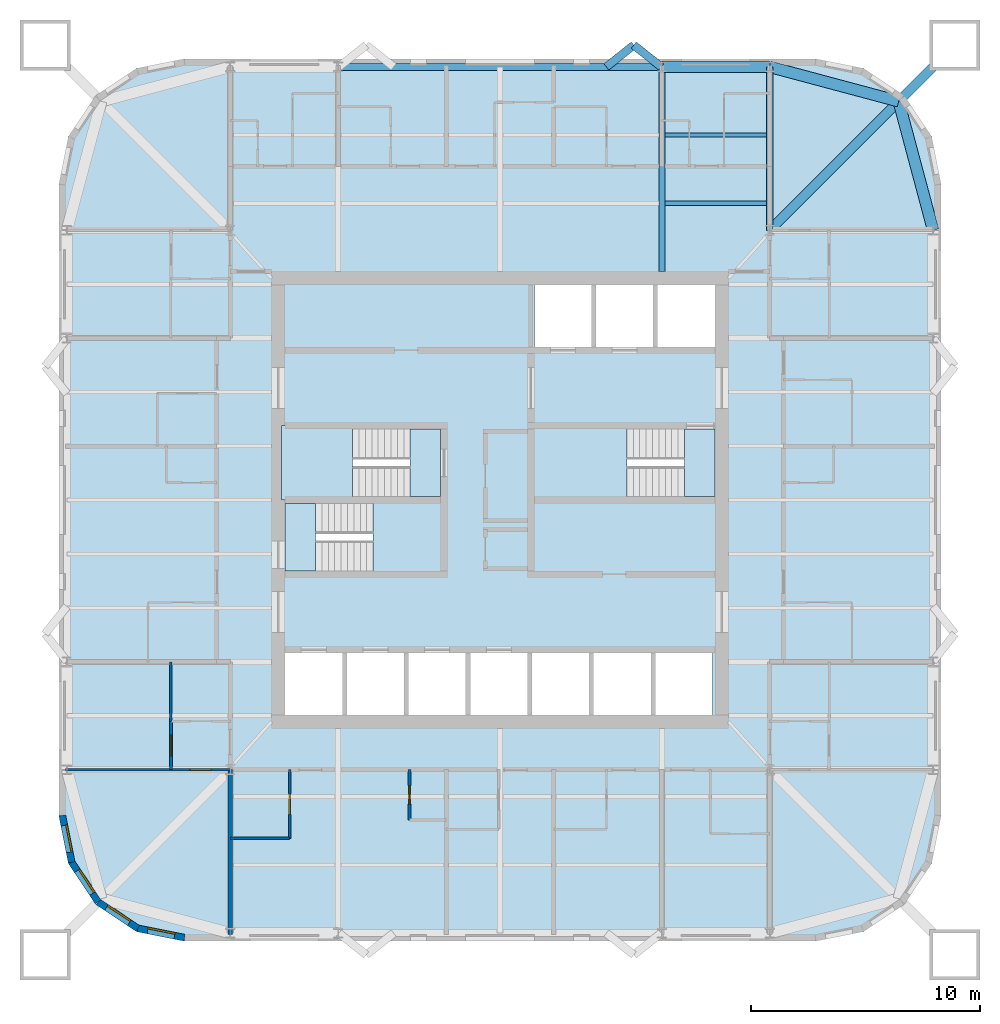
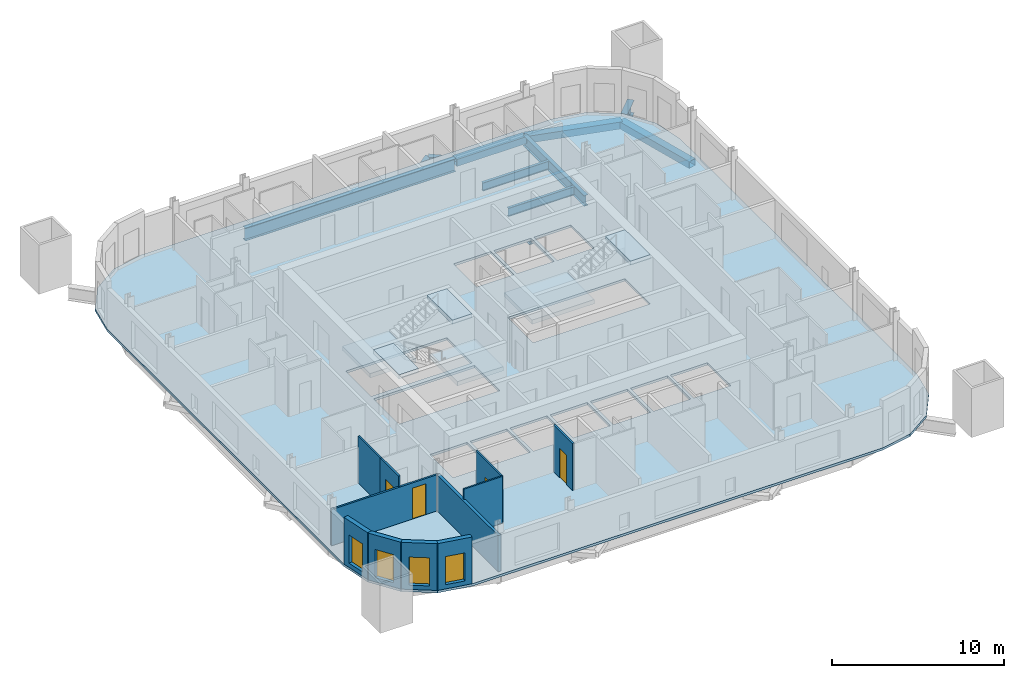
# One storey, part 2 of 9: 11 beams, 11 walls, 7 slabs, 4 doors, 4 windows, 8 openings, 3 elements without a shape of their own.
"""IFC4 building model written with IfcOpenShell, lengths in metres."""

from ifc_helpers import new_model, si_unit, direction, frame, frame_2d, origin, origin_2d, place, context, subcontext, project, spatial, polyline, rectangle, hollow_rectangle, i_section, outline, extrude, material, layer, layer_set, material_profile, profile_set, type_object, element, fill, aggregate, save


model = new_model("IFC4")

# Units and contexts
model_context = context("Model", 3, precision=1e-05, world=origin(), true_north=direction((0.0, 1.0)))
body_context = subcontext(model_context, "Body", "Model", "MODEL_VIEW")
ifc_project = project(units=[si_unit("LENGTHUNIT", "METRE"), si_unit("AREAUNIT", "SQUARE_METRE"), si_unit("VOLUMEUNIT", "CUBIC_METRE"), si_unit("PLANEANGLEUNIT", "RADIAN"), si_unit("MASSUNIT", "GRAM", prefix="KILO")], contexts=[model_context])

# Site, building, storey
site_placement = place(None, origin())
site = spatial("IfcSite", under=ifc_project, at=site_placement, CompositionType="ELEMENT")
building_placement = place(site_placement, origin())
building = spatial("IfcBuilding", under=site, at=building_placement, Name="Turquesa Mirador Hotel Tower", CompositionType="ELEMENT")
storey_placement = place(building_placement, frame((0.0, 0.0, 182.800048828125)))
storey = spatial("IfcBuildingStorey", under=building, at=storey_placement, Name="L49", CompositionType="ELEMENT", Elevation=182.800048828125)

# Beams
ifc_material_1 = material(Name="Steel ASTM A572 Grade 50", Category="steel")
ifc_material_profile_1 = material_profile(ifc_material_1, hollow_rectangle(XDim=0.5, YDim=0.5, WallThickness=0.01611328125, at=origin_2d()), Name="BOX500X500X16")
ifc_profile_set_1 = profile_set([ifc_material_profile_1], Name="Steel ASTM A572 Grade 50")
beam_type_1 = type_object("IfcBeamType", Name="BEAM BOX500X500X16", PredefinedType="BEAM", material=ifc_profile_set_1)
beam_1_placement = place(storey_placement, frame((62.080078125, 63.949951171875, -0.420166015625), z_axis=(1.0, 0.0, 0.0), x_axis=(0.0, 1.0, 0.0)))
element("IfcBeam", 1, at=beam_1_placement, inside=storey, type_object=beam_type_1, Name="EB-L49-N-R", PredefinedType="BEAM", context=body_context, shape_type="SweptSolid", body=[
    extrude(hollow_rectangle(XDim=0.5, YDim=0.5, WallThickness=0.01611328125, at=origin_2d()), origin(), (0.0, 0.0, 1.0), 4.719970703125),
])
for number, where, z_axis, x_axis, name in (
    (2, (73.949951171875, 56.800048828125, -0.420166015625), (-0.258281892145, 0.966069595935, 0.0), (-0.966069595935, -0.258281892145, 0.0), "KE-L49-1-0"),
    (3, (72.441650390625, 62.441650390625, -0.420166015625), (-0.966069595935, 0.258281892145, 0.0), (-0.258281892145, -0.966069595935, 0.0), "KE-L49-1-1"),
):
    element("IfcBeam", number, at=place(storey_placement, frame(where, z_axis=z_axis, x_axis=x_axis)), inside=storey, type_object=beam_type_1, Name=name, PredefinedType="BEAM", context=body_context, shape_type="SweptSolid", body=[
        extrude(hollow_rectangle(XDim=0.5, YDim=0.5, WallThickness=0.01611328125, at=origin_2d()), origin(), (0.0, 0.0, 1.0), 5.83984375),
    ])
ifc_material_2 = material(Name="Steel ASTM A992 Grade 50", Category="steel")
ifc_material_profile_2 = material_profile(ifc_material_2, i_section(OverallWidth=0.177978515625, OverallDepth=0.599365234375, WebThickness=0.010009765625, FlangeThickness=0.012939453125, at=origin_2d()), Name="W24X55")
ifc_profile_set_2 = profile_set([ifc_material_profile_2], Name="Steel ASTM A992 Grade 50")
beam_type_2 = type_object("IfcBeamType", Name="BEAM W24X55", PredefinedType="BEAM", material=ifc_profile_set_2)
for number, where, z_axis, x_axis, name in (
    (4, (62.21337890625, 57.98291015625, -0.4697265625), (1.0, 0.0, 0.0), (0.0, 1.0, 0.0), "IB-L49-N-1-3"),
    (5, (62.21337890625, 60.967041015625, -0.4697265625), (1.0, 0.0, 0.0), (0.0, 1.0, 0.0), "IB-L49-N-2-3"),
):
    element("IfcBeam", number, at=place(storey_placement, frame(where, z_axis=z_axis, x_axis=x_axis)), inside=storey, type_object=beam_type_2, Name=name, PredefinedType="BEAM", context=body_context, shape_type="SweptSolid", body=[
        extrude(i_section(OverallWidth=0.177978515625, OverallDepth=0.599365234375, WebThickness=0.010009765625, FlangeThickness=0.012939453125, at=origin_2d()), origin(), (0.0, 0.0, 1.0), 4.453369140625),
    ])
ifc_material_3 = material(Name="Steel ASTM A992 Grade 50", Category="steel")
ifc_material_profile_3 = material_profile(ifc_material_3, i_section(OverallWidth=0.2666015625, OverallDepth=0.7568359375, WebThickness=0.013916015625, FlangeThickness=0.019287109375, at=origin_2d()), Name="W30X108")
ifc_profile_set_3 = profile_set([ifc_material_profile_3], Name="Steel ASTM A992 Grade 50")
beam_type_3 = type_object("IfcBeamType", Name="BEAM W30X108", PredefinedType="BEAM", material=ifc_profile_set_3)
beam_2_placement = place(storey_placement, frame((62.080078125, 63.949951171875, -0.548583984375), z_axis=(0.0, -1.0, 0.0), x_axis=(1.0, 0.0, 0.0)))
element("IfcBeam", 6, at=beam_2_placement, inside=storey, type_object=beam_type_3, Name="GD-L49-N-+7.08", PredefinedType="BEAM", context=body_context, shape_type="SweptSolid", body=[
    extrude(i_section(OverallWidth=0.2666015625, OverallDepth=0.7568359375, WebThickness=0.013916015625, FlangeThickness=0.019287109375, at=origin_2d()), origin(), (0.0, 0.0, 1.0), 8.949951171875),
])
beam_3_placement = place(storey_placement, frame((66.800048828125, 63.949951171875, -0.548583984375), z_axis=(0.0, -1.0, 0.0), x_axis=(1.0, 0.0, 0.0)))
element("IfcBeam", 7, at=beam_3_placement, inside=storey, type_object=beam_type_3, Name="GK-L49-N-+11.80", PredefinedType="BEAM", context=body_context, shape_type="SweptSolid", body=[
    extrude(i_section(OverallWidth=0.2666015625, OverallDepth=0.7568359375, WebThickness=0.013916015625, FlangeThickness=0.019287109375, at=origin_2d()), origin(), (0.0, 0.0, 1.0), 7.14990234375),
])
ifc_material_4 = material(Name="Steel ASTM A992 Grade 50", Category="steel")
ifc_material_profile_4 = material_profile(ifc_material_4, i_section(OverallWidth=0.3046875, OverallDepth=0.911865234375, WebThickness=0.015869140625, FlangeThickness=0.02392578125, at=origin_2d()), Name="W36X150")
ifc_profile_set_4 = profile_set([ifc_material_profile_4], Name="Steel ASTM A992 Grade 50")
beam_type_4 = type_object("IfcBeamType", Name="BEAM W36X150", PredefinedType="BEAM", material=ifc_profile_set_4)
beam_4_placement = place(storey_placement, frame((47.919921875, 63.949951171875, -0.6259765625), z_axis=(1.0, 0.0, 0.0), x_axis=(0.0, 1.0, 0.0)))
element("IfcBeam", 8, at=beam_4_placement, inside=storey, type_object=beam_type_4, Name="EB-L49-N-C", PredefinedType="BEAM", context=body_context, shape_type="SweptSolid", body=[
    extrude(i_section(OverallWidth=0.3046875, OverallDepth=0.911865234375, WebThickness=0.015869140625, FlangeThickness=0.02392578125, at=origin_2d()), origin(), (0.0, 0.0, 1.0), 14.16015625),
])
ifc_material_5 = material(Name="Steel ASTM A992 Grade 50", Category="steel")
ifc_material_profile_5 = material_profile(ifc_material_5, i_section(OverallWidth=0.419189453125, OverallDepth=0.927001953125, WebThickness=0.019287109375, FlangeThickness=0.031982421875, at=origin_2d()), Name="W36X231")
ifc_profile_set_5 = profile_set([ifc_material_profile_5], Name="Steel ASTM A992 Grade 50")
beam_type_5 = type_object("IfcBeamType", Name="BEAM W36X231", PredefinedType="BEAM", material=ifc_profile_set_5)
beam_5_placement = place(storey_placement, frame((66.800048828125, 56.800048828125, -0.633544921875), z_axis=(0.707106781187, 0.707106781187, 0.0), x_axis=(-0.707106781187, 0.707106781187, 0.0)))
element("IfcBeam", 9, at=beam_5_placement, inside=storey, type_object=beam_type_5, Name="KD-L49-1", PredefinedType="BEAM", context=body_context, shape_type="SweptSolid", body=[
    extrude(i_section(OverallWidth=0.419189453125, OverallDepth=0.927001953125, WebThickness=0.019287109375, FlangeThickness=0.031982421875, at=origin_2d()), origin(), (0.0, 0.0, 1.0), 10.080322265625),
])
ifc_material_6 = material(Name="Steel ASTM A500 Grade C", Category="steel")
ifc_material_profile_6 = material_profile(ifc_material_6, hollow_rectangle(XDim=0.355712890625, YDim=0.355712890625, WallThickness=0.0146484375, at=origin_2d()), Name="HSS14X14X5/8")
ifc_profile_set_6 = profile_set([ifc_material_profile_6], Name="Steel ASTM A500 Grade C")
beam_type_6 = type_object("IfcBeamType", Name="BRACE STRUT HSS14X14X5/8", PredefinedType="BEAM", material=ifc_profile_set_6)
beam_6_placement = place(storey_placement, frame((60.85302734375, 64.89990234375, -0.347900390625), z_axis=(-0.784110506071, -0.620621232531, 0.0), x_axis=(0.620621232531, -0.784110506071, 0.0)))
element("IfcBeam", 10, at=beam_6_placement, inside=storey, type_object=beam_type_6, Name="Brace strut", PredefinedType="BEAM", context=body_context, shape_type="SweptSolid", body=[
    extrude(hollow_rectangle(XDim=0.355712890625, YDim=0.355712890625, WallThickness=0.0146484375, at=origin_2d()), origin(), (0.0, 0.0, 1.0), 1.53076171875),
])
beam_7_placement = place(storey_placement, frame((60.85302734375, 64.89990234375, -0.347900390625), z_axis=(0.784049059149, -0.620698858423, 0.0), x_axis=(0.620698858423, 0.784049059149, 0.0)))
element("IfcBeam", 11, at=beam_7_placement, inside=storey, type_object=beam_type_6, Name="Brace strut", PredefinedType="BEAM", context=body_context, shape_type="SweptSolid", body=[
    extrude(hollow_rectangle(XDim=0.355712890625, YDim=0.355712890625, WallThickness=0.0146484375, at=origin_2d()), origin(), (0.0, 0.0, 1.0), 1.530517578125),
])

# Slab
ifc_material_7 = material(Name="Concrete C28/35", Category="concrete")
ifc_layer_1 = layer(ifc_material_7, 0.169921875)
ifc_layer_set_1 = layer_set([ifc_layer_1], Name="COMPOSITE FLOOR SLAB 170")
slab_type_1 = type_object("IfcSlabType", Name="COMPOSITE FLOOR SLAB 170", PredefinedType="FLOOR", material=ifc_layer_set_1)
slab_1_placement = place(storey_placement, frame((0.0, 0.0, -0.170166015625)))
element("IfcSlab", 12, at=slab_1_placement, inside=storey, type_object=slab_type_1, Name="Floor slab L49", PredefinedType="FLOOR", context=body_context, shape_type="SweptSolid", body=[
    extrude(outline(polyline([(68.800048828125, 25.699951171875), (70.90478515625, 26.11865234375), (72.689208984375, 27.310791015625), (73.88134765625, 29.09521484375), (74.300048828125, 31.199951171875), (74.300048828125, 58.800048828125), (73.88134765625, 60.90478515625), (72.689208984375, 62.689208984375), (70.90478515625, 63.88134765625), (68.800048828125, 64.300048828125), (41.199951171875, 64.300048828125), (39.09521484375, 63.88134765625), (37.310791015625, 62.689208984375), (36.11865234375, 60.90478515625), (35.699951171875, 58.800048828125), (35.699951171875, 31.199951171875), (36.11865234375, 29.09521484375), (37.310791015625, 27.310791015625), (39.09521484375, 26.11865234375), (41.199951171875, 25.699951171875), (68.800048828125, 25.699951171875)]), holes=[polyline([(56.5, 51.699951171875), (59.0, 51.699951171875), (59.0, 54.39990234375), (56.5, 54.39990234375), (56.5, 51.699951171875)]), polyline([(59.199951171875, 51.699951171875), (61.699951171875, 51.699951171875), (61.699951171875, 54.39990234375), (59.199951171875, 54.39990234375), (59.199951171875, 51.699951171875)]), polyline([(45.60009765625, 35.60009765625), (48.10009765625, 35.60009765625), (48.10009765625, 38.300048828125), (45.60009765625, 38.300048828125), (45.60009765625, 35.60009765625)]), polyline([(48.300048828125, 35.60009765625), (50.800048828125, 35.60009765625), (50.800048828125, 38.300048828125), (48.300048828125, 38.300048828125), (48.300048828125, 35.60009765625)]), polyline([(51.0, 35.60009765625), (53.5, 35.60009765625), (53.5, 38.300048828125), (51.0, 38.300048828125), (51.0, 35.60009765625)]), polyline([(53.699951171875, 35.60009765625), (56.199951171875, 35.60009765625), (56.199951171875, 38.300048828125), (53.699951171875, 38.300048828125), (53.699951171875, 35.60009765625)]), polyline([(56.39990234375, 35.60009765625), (58.89990234375, 35.60009765625), (58.89990234375, 38.300048828125), (56.39990234375, 38.300048828125), (56.39990234375, 35.60009765625)]), polyline([(59.10009765625, 35.60009765625), (61.60009765625, 35.60009765625), (61.60009765625, 38.300048828125), (59.10009765625, 38.300048828125), (59.10009765625, 35.60009765625)]), polyline([(61.800048828125, 35.60009765625), (64.300048828125, 35.60009765625), (64.300048828125, 38.300048828125), (61.800048828125, 38.300048828125), (61.800048828125, 35.60009765625)]), polyline([(45.60009765625, 45.14990234375), (52.39990234375, 45.14990234375), (52.39990234375, 48.10009765625), (45.60009765625, 48.10009765625), (45.60009765625, 45.14990234375)]), polyline([(45.60009765625, 41.89990234375), (52.39990234375, 41.89990234375), (52.39990234375, 44.85009765625), (45.60009765625, 44.85009765625), (45.60009765625, 41.89990234375)]), polyline([(56.5, 45.14990234375), (64.39990234375, 45.14990234375), (64.39990234375, 48.10009765625), (56.5, 48.10009765625), (56.5, 45.14990234375)]), polyline([(61.89990234375, 51.699951171875), (64.39990234375, 51.699951171875), (64.39990234375, 54.39990234375), (61.89990234375, 54.39990234375), (61.89990234375, 51.699951171875)])]), origin(), (0.0, 0.0, 1.0), 0.170166015625),
])

# Stair, slabs
ifc_material_8 = material(Name="Concrete C35/45", Category="concrete")
stair_type = type_object("IfcStairType", Name="ESCAPE STAIR CORE", PredefinedType="HALF_TURN_STAIR", material=ifc_material_8)
stair_1_placement = place(storey_placement, origin())
stair_1 = element("IfcStair", 13, at=stair_1_placement, inside=storey, type_object=stair_type, Name="Stair ST1 L49 to L50", PredefinedType="HALF_TURN_STAIR")
ifc_material_9 = material(Name="Concrete C35/45", Category="concrete")
ifc_layer_2 = layer(ifc_material_9, 0.300048828125)
ifc_layer_set_2 = layer_set([ifc_layer_2], Name="STAIR LANDING 300")
slab_type_2 = type_object("IfcSlabType", Name="STAIR LANDING 300", PredefinedType="LANDING", material=ifc_layer_set_2)
slab_2_placement = place(storey_placement, frame((0.0, 0.0, 1.449951171875)))
slab_2 = element("IfcSlab", 14, at=slab_2_placement, type_object=slab_type_2, Name="ST1 landing 1", PredefinedType="LANDING", context=body_context, shape_type="SweptSolid", body=[
    extrude(outline(polyline([(45.449951171875, 45.0), (48.550048828125, 45.0), (48.550048828125, 48.25), (45.449951171875, 48.25), (45.449951171875, 45.0)])), origin(), (0.0, 0.0, 1.0), 0.300048828125),
])
slab_3_placement = place(storey_placement, frame((0.0, 0.0, 3.199951171875)))
slab_3 = element("IfcSlab", 15, at=slab_3_placement, type_object=slab_type_2, Name="ST1 landing 2", PredefinedType="LANDING", context=body_context, shape_type="SweptSolid", body=[
    extrude(outline(polyline([(51.070068359375, 45.14990234375), (52.39990234375, 45.14990234375), (52.39990234375, 48.10009765625), (51.070068359375, 48.10009765625), (51.070068359375, 45.14990234375)])), origin(), (0.0, 0.0, 1.0), 0.300048828125),
])
aggregate(stair_1, [slab_2, slab_3])

stair_2_placement = place(storey_placement, origin())
stair_2 = element("IfcStair", 16, at=stair_2_placement, inside=storey, type_object=stair_type, Name="Stair ST2 L49 to L50", PredefinedType="HALF_TURN_STAIR")
slab_4_placement = place(storey_placement, frame((0.0, 0.0, 1.449951171875)))
slab_4 = element("IfcSlab", 17, at=slab_4_placement, type_object=slab_type_2, Name="ST2 landing 1", PredefinedType="LANDING", context=body_context, shape_type="SweptSolid", body=[
    extrude(outline(polyline([(52.550048828125, 45.0), (49.449951171875, 45.0), (49.449951171875, 41.75), (52.550048828125, 41.75), (52.550048828125, 45.0)])), origin(), (0.0, 0.0, 1.0), 0.300048828125),
])
slab_5_placement = place(storey_placement, frame((0.0, 0.0, 3.199951171875)))
slab_5 = element("IfcSlab", 18, at=slab_5_placement, type_object=slab_type_2, Name="ST2 landing 2", PredefinedType="LANDING", context=body_context, shape_type="SweptSolid", body=[
    extrude(outline(polyline([(46.929931640625, 44.85009765625), (45.60009765625, 44.85009765625), (45.60009765625, 41.89990234375), (46.929931640625, 41.89990234375), (46.929931640625, 44.85009765625)])), origin(), (0.0, 0.0, 1.0), 0.300048828125),
])
aggregate(stair_2, [slab_4, slab_5])

stair_3_placement = place(storey_placement, origin())
stair_3 = element("IfcStair", 19, at=stair_3_placement, inside=storey, type_object=stair_type, Name="Stair ST3 L49 to L50", PredefinedType="HALF_TURN_STAIR")
slab_6_placement = place(storey_placement, frame((0.0, 0.0, 1.449951171875)))
slab_6 = element("IfcSlab", 20, at=slab_6_placement, type_object=slab_type_2, Name="ST3 landing 1", PredefinedType="LANDING", context=body_context, shape_type="SweptSolid", body=[
    extrude(outline(polyline([(56.35009765625, 45.0), (60.550048828125, 45.0), (60.550048828125, 48.25), (56.35009765625, 48.25), (56.35009765625, 45.0)])), origin(), (0.0, 0.0, 1.0), 0.300048828125),
])
slab_7_placement = place(storey_placement, frame((0.0, 0.0, 3.199951171875)))
slab_7 = element("IfcSlab", 21, at=slab_7_placement, type_object=slab_type_2, Name="ST3 landing 2", PredefinedType="LANDING", context=body_context, shape_type="SweptSolid", body=[
    extrude(outline(polyline([(63.070068359375, 45.14990234375), (64.39990234375, 45.14990234375), (64.39990234375, 48.10009765625), (63.070068359375, 48.10009765625), (63.070068359375, 45.14990234375)])), origin(), (0.0, 0.0, 1.0), 0.300048828125),
])
aggregate(stair_3, [slab_6, slab_7])

# Walls
ifc_material_10 = material(Name="Gypsum board on steel studs", Category="steel")
ifc_layer_3 = layer(ifc_material_10, 0.10009765625)
ifc_layer_set_3 = layer_set([ifc_layer_3], Name="BATHROOM WALL 100")
wall_type_1 = type_object("IfcWallType", Name="BATHROOM WALL 100", PredefinedType="PARTITIONING", material=ifc_layer_set_3)
wall_1_placement = place(storey_placement, frame((43.199951171875, 30.199951171875, 0.0), z_axis=(0.0, 0.0, 1.0), x_axis=(1.0, 0.0, 0.0)))
element("IfcWall", 22, at=wall_1_placement, inside=storey, type_object=wall_type_1, Name="Partition L49 008", PredefinedType="PARTITIONING", context=body_context, shape_type="SweptSolid", body=[
    extrude(rectangle(XDim=2.60009765625, YDim=0.10009765625, at=frame_2d((1.300048828125, 0.0))), origin(), (0.0, 0.0, 1.0), 3.329833984375),
])
wall_2_placement = place(storey_placement, frame((40.60009765625, 35.320068359375, 0.0), z_axis=(0.0, 0.0, 1.0), x_axis=(0.0, 1.0, 0.0)))
element("IfcWall", 23, at=wall_2_placement, inside=storey, type_object=wall_type_1, Name="Partition L49 049", PredefinedType="PARTITIONING", context=body_context, shape_type="SweptSolid", body=[
    extrude(rectangle(XDim=2.599853515625, YDim=0.10009765625, at=frame_2d((1.2998046875, 0.0))), origin(), (0.0, 0.0, 1.0), 3.329833984375),
])

# Wall, opening, door
wall_3_placement = place(storey_placement, frame((45.800048828125, 30.199951171875, 0.0), z_axis=(0.0, 0.0, 1.0), x_axis=(0.0, 1.0, 0.0)))
wall_3 = element("IfcWall", 24, at=wall_3_placement, inside=storey, type_object=wall_type_1, Name="Partition L49 062", PredefinedType="PARTITIONING", context=body_context, shape_type="SweptSolid", body=[
    extrude(rectangle(XDim=3.0, YDim=0.10009765625, at=frame_2d((1.5, 0.0))), origin(), (0.0, 0.0, 1.0), 3.329833984375),
])
opening_1_placement = place(wall_3_placement, frame((1.050048828125, 0.0, 0.0)))
opening_1 = element("IfcOpeningElement", 25, at=opening_1_placement, cuts=wall_3, Name="Opening D02", PredefinedType="OPENING", context=body_context, shape_type="SweptSolid", body=[
    extrude(rectangle(XDim=0.89990234375, YDim=2.10009765625, at=frame_2d((0.449951171875, 1.050048828125))), frame((0.0, 0.06005859375, 0.0), z_axis=(0.0, -1.0, 0.0), x_axis=(1.0, 0.0, 0.0)), (0.0, 0.0, 1.0), 0.1201171875),
])
ifc_material_11 = material(Name="Timber veneered door", Category="wood")
door_type_1 = type_object("IfcDoorType", Name="DOOR 900X2100 EN-SUITE", OperationType="SINGLE_SWING_RIGHT", PredefinedType="DOOR", material=ifc_material_11)
door_1_placement = place(opening_1_placement, origin())
door_1 = element("IfcDoor", 26, at=door_1_placement, inside=storey, type_object=door_type_1, Name="Door 4906B", OperationType="SINGLE_SWING_RIGHT", OverallHeight=2.10009765625, OverallWidth=0.89990234375, PredefinedType="DOOR", context=body_context, shape_type="SweptSolid", body=[
    extrude(rectangle(XDim=0.89990234375, YDim=2.10009765625, at=frame_2d((0.449951171875, 1.050048828125))), frame((0.0, 0.02490234375, 0.0), z_axis=(0.0, -1.0, 0.0), x_axis=(1.0, 0.0, 0.0)), (0.0, 0.0, 1.0), 0.050048828125),
])
fill(opening_1, door_1)

# Wall, opening, window
ifc_material_12 = material(Name="Limestone cladding on concrete block", Category="masonry")
ifc_layer_4 = layer(ifc_material_12, 0.300048828125)
ifc_layer_set_4 = layer_set([ifc_layer_4], Name="FACADE WALL 300 STONE SCREEN")
wall_type_2 = type_object("IfcWallType", Name="FACADE WALL 300 STONE SCREEN", PredefinedType="SOLIDWALL", material=ifc_layer_set_4)
wall_4_placement = place(storey_placement, frame((35.85009765625, 31.199951171875, 0.0), z_axis=(0.0, 0.0, 1.0), x_axis=(0.195081421501, -0.980787050784, 0.0)))
wall_4 = element("IfcWall", 27, at=wall_4_placement, inside=storey, type_object=wall_type_2, Name="Facade wall L49 15", PredefinedType="SOLIDWALL", context=body_context, shape_type="SweptSolid", body=[
    extrude(rectangle(XDim=2.08740234375, YDim=0.300048828125, at=frame_2d((1.043701171875, 0.0))), origin(), (0.0, 0.0, 1.0), 3.329833984375),
])
opening_2_placement = place(wall_4_placement, frame((0.443603515625, 0.0, 0.300048828125)))
opening_2 = element("IfcOpeningElement", 28, at=opening_2_placement, cuts=wall_4, Name="Opening WN4", PredefinedType="OPENING", context=body_context, shape_type="SweptSolid", body=[
    extrude(rectangle(XDim=1.199951171875, YDim=2.0, at=frame_2d((0.60009765625, 1.0))), frame((0.0, 0.159912109375, 0.0), z_axis=(0.0, -1.0, 0.0), x_axis=(1.0, 0.0, 0.0)), (0.0, 0.0, 1.0), 0.320068359375),
])
ifc_material_13 = material(Name="Ceramic-fritted laminated glass", Category="glass")
window_type = type_object("IfcWindowType", Name="FRITTED CORNER WINDOW 1200X2000", PartitioningType="DOUBLE_PANEL_HORIZONTAL", PredefinedType="WINDOW", material=ifc_material_13)
window_1_placement = place(opening_2_placement, origin())
window_1 = element("IfcWindow", 29, at=window_1_placement, inside=storey, type_object=window_type, Name="Window L49", OverallHeight=2.0, OverallWidth=1.199951171875, PartitioningType="SINGLE_PANEL", PredefinedType="WINDOW", context=body_context, shape_type="SweptSolid", body=[
    extrude(rectangle(XDim=1.199951171875, YDim=2.0, at=frame_2d((0.60009765625, 1.0))), frame((0.0, 0.130126953125, 0.0), z_axis=(0.0, -1.0, 0.0), x_axis=(1.0, 0.0, 0.0)), (0.0, 0.0, 1.0), 0.06005859375),
])
fill(opening_2, window_1)

wall_5_placement = place(storey_placement, frame((36.25732421875, 29.152587890625, 0.0), z_axis=(0.0, 0.0, 1.0), x_axis=(0.555563607591, -0.831474039234, 0.0)))
wall_5 = element("IfcWall", 30, at=wall_5_placement, inside=storey, type_object=wall_type_2, Name="Facade wall L49 16", PredefinedType="SOLIDWALL", context=body_context, shape_type="SweptSolid", body=[
    extrude(rectangle(XDim=2.08740234375, YDim=0.300048828125, at=frame_2d((1.043701171875, 0.0))), origin(), (0.0, 0.0, 1.0), 3.329833984375),
])
opening_3_placement = place(wall_5_placement, frame((0.443603515625, 0.0, 0.300048828125)))
opening_3 = element("IfcOpeningElement", 31, at=opening_3_placement, cuts=wall_5, Name="Opening WN4", PredefinedType="OPENING", context=body_context, shape_type="SweptSolid", body=[
    extrude(rectangle(XDim=1.199951171875, YDim=2.0, at=frame_2d((0.60009765625, 1.0))), frame((0.0, 0.159912109375, 0.0), z_axis=(0.0, -1.0, 0.0), x_axis=(1.0, 0.0, 0.0)), (0.0, 0.0, 1.0), 0.320068359375),
])
window_2_placement = place(opening_3_placement, origin())
window_2 = element("IfcWindow", 32, at=window_2_placement, inside=storey, type_object=window_type, Name="Window L49", OverallHeight=2.0, OverallWidth=1.199951171875, PartitioningType="SINGLE_PANEL", PredefinedType="WINDOW", context=body_context, shape_type="SweptSolid", body=[
    extrude(rectangle(XDim=1.199951171875, YDim=2.0, at=frame_2d((0.60009765625, 1.0))), frame((0.0, 0.130126953125, 0.0), z_axis=(0.0, -1.0, 0.0), x_axis=(1.0, 0.0, 0.0)), (0.0, 0.0, 1.0), 0.06005859375),
])
fill(opening_3, window_2)

wall_6_placement = place(storey_placement, frame((37.4169921875, 27.4169921875, 0.0), z_axis=(0.0, 0.0, 1.0), x_axis=(0.831474039234, -0.555563607591, 0.0)))
wall_6 = element("IfcWall", 33, at=wall_6_placement, inside=storey, type_object=wall_type_2, Name="Facade wall L49 17", PredefinedType="SOLIDWALL", context=body_context, shape_type="SweptSolid", body=[
    extrude(rectangle(XDim=2.08740234375, YDim=0.300048828125, at=frame_2d((1.043701171875, 0.0))), origin(), (0.0, 0.0, 1.0), 3.329833984375),
])
opening_4_placement = place(wall_6_placement, frame((0.443603515625, 0.0, 0.300048828125)))
opening_4 = element("IfcOpeningElement", 34, at=opening_4_placement, cuts=wall_6, Name="Opening WN4", PredefinedType="OPENING", context=body_context, shape_type="SweptSolid", body=[
    extrude(rectangle(XDim=1.199951171875, YDim=2.0, at=frame_2d((0.60009765625, 1.0))), frame((0.0, 0.159912109375, 0.0), z_axis=(0.0, -1.0, 0.0), x_axis=(1.0, 0.0, 0.0)), (0.0, 0.0, 1.0), 0.320068359375),
])
window_3_placement = place(opening_4_placement, origin())
window_3 = element("IfcWindow", 35, at=window_3_placement, inside=storey, type_object=window_type, Name="Window L49", OverallHeight=2.0, OverallWidth=1.199951171875, PartitioningType="SINGLE_PANEL", PredefinedType="WINDOW", context=body_context, shape_type="SweptSolid", body=[
    extrude(rectangle(XDim=1.199951171875, YDim=2.0, at=frame_2d((0.60009765625, 1.0))), frame((0.0, 0.130126953125, 0.0), z_axis=(0.0, -1.0, 0.0), x_axis=(1.0, 0.0, 0.0)), (0.0, 0.0, 1.0), 0.06005859375),
])
fill(opening_4, window_3)

wall_7_placement = place(storey_placement, frame((39.152587890625, 26.25732421875, 0.0), z_axis=(0.0, 0.0, 1.0), x_axis=(0.980787050784, -0.195081421501, 0.0)))
wall_7 = element("IfcWall", 36, at=wall_7_placement, inside=storey, type_object=wall_type_2, Name="Facade wall L49 18", PredefinedType="SOLIDWALL", context=body_context, shape_type="SweptSolid", body=[
    extrude(rectangle(XDim=2.08740234375, YDim=0.300048828125, at=frame_2d((1.043701171875, 0.0))), origin(), (0.0, 0.0, 1.0), 3.329833984375),
])
opening_5_placement = place(wall_7_placement, frame((0.443603515625, 0.0, 0.300048828125)))
opening_5 = element("IfcOpeningElement", 37, at=opening_5_placement, cuts=wall_7, Name="Opening WN4", PredefinedType="OPENING", context=body_context, shape_type="SweptSolid", body=[
    extrude(rectangle(XDim=1.199951171875, YDim=2.0, at=frame_2d((0.60009765625, 1.0))), frame((0.0, 0.159912109375, 0.0), z_axis=(0.0, -1.0, 0.0), x_axis=(1.0, 0.0, 0.0)), (0.0, 0.0, 1.0), 0.320068359375),
])
window_4_placement = place(opening_5_placement, origin())
window_4 = element("IfcWindow", 38, at=window_4_placement, inside=storey, type_object=window_type, Name="Window L49", OverallHeight=2.0, OverallWidth=1.199951171875, PartitioningType="SINGLE_PANEL", PredefinedType="WINDOW", context=body_context, shape_type="SweptSolid", body=[
    extrude(rectangle(XDim=1.199951171875, YDim=2.0, at=frame_2d((0.60009765625, 1.0))), frame((0.0, 0.130126953125, 0.0), z_axis=(0.0, -1.0, 0.0), x_axis=(1.0, 0.0, 0.0)), (0.0, 0.0, 1.0), 0.06005859375),
])
fill(opening_5, window_4)

# Wall
ifc_material_14 = material(Name="Fire-rated gypsum board on steel studs", Category="steel")
ifc_layer_5 = layer(ifc_material_14, 0.199951171875)
ifc_layer_set_5 = layer_set([ifc_layer_5], Name="PARTY WALL 200")
wall_type_3 = type_object("IfcWallType", Name="PARTY WALL 200", PredefinedType="PARTITIONING", material=ifc_layer_set_5)
wall_8_placement = place(storey_placement, frame((43.199951171875, 26.0, 0.0), z_axis=(0.0, 0.0, 1.0), x_axis=(0.0, 1.0, 0.0)))
element("IfcWall", 39, at=wall_8_placement, inside=storey, type_object=wall_type_3, Name="Partition L49 046", PredefinedType="PARTITIONING", context=body_context, shape_type="SweptSolid", body=[
    extrude(rectangle(XDim=7.199951171875, YDim=0.199951171875, at=frame_2d((3.60009765625, 0.0))), origin(), (0.0, 0.0, 1.0), 2.572998046875),
])

# Wall, opening, door
ifc_material_15 = material(Name="Acoustic gypsum board on steel studs", Category="steel")
ifc_layer_6 = layer(ifc_material_15, 0.125)
ifc_layer_set_6 = layer_set([ifc_layer_6], Name="SUITE PARTITION 125")
wall_type_4 = type_object("IfcWallType", Name="SUITE PARTITION 125", PredefinedType="PARTITIONING", material=ifc_layer_set_6)
wall_9_placement = place(storey_placement, frame((36.0, 33.199951171875, 0.0), z_axis=(0.0, 0.0, 1.0), x_axis=(1.0, 0.0, 0.0)))
wall_9 = element("IfcWall", 40, at=wall_9_placement, inside=storey, type_object=wall_type_4, Name="Partition L49 002", PredefinedType="PARTITIONING", context=body_context, shape_type="SweptSolid", body=[
    extrude(rectangle(XDim=7.199951171875, YDim=0.125, at=frame_2d((3.60009765625, 0.0))), origin(), (0.0, 0.0, 1.0), 2.572998046875),
])
opening_6_placement = place(wall_9_placement, frame((5.449951171875, 0.0, 0.0)))
opening_6 = element("IfcOpeningElement", 41, at=opening_6_placement, cuts=wall_9, Name="Opening D17", PredefinedType="OPENING", context=body_context, shape_type="SweptSolid", body=[
    extrude(rectangle(XDim=0.89990234375, YDim=2.199951171875, at=frame_2d((0.449951171875, 1.10009765625))), frame((0.0, 0.072509765625, 0.0), z_axis=(0.0, -1.0, 0.0), x_axis=(1.0, 0.0, 0.0)), (0.0, 0.0, 1.0), 0.14501953125),
])
ifc_material_16 = material(Name="Timber veneered door", Category="wood")
door_type_2 = type_object("IfcDoorType", Name="DOOR 900X2200 SUITE INTERNAL", OperationType="SINGLE_SWING_LEFT", PredefinedType="DOOR", material=ifc_material_16)
door_2_placement = place(opening_6_placement, origin())
door_2 = element("IfcDoor", 42, at=door_2_placement, inside=storey, type_object=door_type_2, Name="Door 4916", OperationType="SINGLE_SWING_LEFT", OverallHeight=2.199951171875, OverallWidth=0.89990234375, PredefinedType="DOOR", context=body_context, shape_type="SweptSolid", body=[
    extrude(rectangle(XDim=0.89990234375, YDim=2.199951171875, at=frame_2d((0.449951171875, 1.10009765625))), frame((0.0, 0.02490234375, 0.0), z_axis=(0.0, -1.0, 0.0), x_axis=(1.0, 0.0, 0.0)), (0.0, 0.0, 1.0), 0.050048828125),
])
fill(opening_6, door_2)

wall_10_placement = place(storey_placement, frame((40.60009765625, 33.199951171875, 0.0), z_axis=(0.0, 0.0, 1.0), x_axis=(0.0, 1.0, 0.0)))
wall_10 = element("IfcWall", 43, at=wall_10_placement, inside=storey, type_object=wall_type_4, Name="Partition L49 051", PredefinedType="PARTITIONING", context=body_context, shape_type="SweptSolid", body=[
    extrude(rectangle(XDim=2.1201171875, YDim=0.125, at=frame_2d((1.06005859375, 0.0))), origin(), (0.0, 0.0, 1.0), 3.329833984375),
])
opening_7_placement = place(wall_10_placement, frame((0.610107421875, 0.0, 0.0)))
opening_7 = element("IfcOpeningElement", 44, at=opening_7_placement, cuts=wall_10, Name="Opening D17", PredefinedType="OPENING", context=body_context, shape_type="SweptSolid", body=[
    extrude(rectangle(XDim=0.89990234375, YDim=2.199951171875, at=frame_2d((0.449951171875, 1.10009765625))), frame((0.0, 0.072509765625, 0.0), z_axis=(0.0, -1.0, 0.0), x_axis=(1.0, 0.0, 0.0)), (0.0, 0.0, 1.0), 0.14501953125),
])
door_3_placement = place(opening_7_placement, origin())
door_3 = element("IfcDoor", 45, at=door_3_placement, inside=storey, type_object=door_type_2, Name="Door 4916R", OperationType="SINGLE_SWING_LEFT", OverallHeight=2.199951171875, OverallWidth=0.89990234375, PredefinedType="DOOR", context=body_context, shape_type="SweptSolid", body=[
    extrude(rectangle(XDim=0.89990234375, YDim=2.199951171875, at=frame_2d((0.449951171875, 1.10009765625))), frame((0.0, 0.02490234375, 0.0), z_axis=(0.0, -1.0, 0.0), x_axis=(1.0, 0.0, 0.0)), (0.0, 0.0, 1.0), 0.050048828125),
])
fill(opening_7, door_3)

wall_11_placement = place(storey_placement, frame((51.0400390625, 31.0, 0.0), z_axis=(0.0, 0.0, 1.0), x_axis=(0.0, 1.0, 0.0)))
wall_11 = element("IfcWall", 46, at=wall_11_placement, inside=storey, type_object=wall_type_4, Name="Partition L49 058", PredefinedType="PARTITIONING", context=body_context, shape_type="SweptSolid", body=[
    extrude(rectangle(XDim=2.199951171875, YDim=0.125, at=frame_2d((1.10009765625, 0.0))), origin(), (0.0, 0.0, 1.0), 3.329833984375),
])
opening_8_placement = place(wall_11_placement, frame((0.699951171875, 0.0, 0.0)))
opening_8 = element("IfcOpeningElement", 47, at=opening_8_placement, cuts=wall_11, Name="Opening D20", PredefinedType="OPENING", context=body_context, shape_type="SweptSolid", body=[
    extrude(rectangle(XDim=0.800048828125, YDim=2.10009765625, at=frame_2d((0.39990234375, 1.050048828125))), frame((0.0, 0.072509765625, 0.0), z_axis=(0.0, -1.0, 0.0), x_axis=(1.0, 0.0, 0.0)), (0.0, 0.0, 1.0), 0.14501953125),
])
ifc_material_17 = material(Name="Timber veneered sliding door", Category="wood")
door_type_3 = type_object("IfcDoorType", Name="DOOR 800X2100 WARDROBE", OperationType="SLIDING_TO_LEFT", PredefinedType="DOOR", material=ifc_material_17)
door_4_placement = place(opening_8_placement, origin())
door_4 = element("IfcDoor", 48, at=door_4_placement, inside=storey, type_object=door_type_3, Name="Door 4906W", OperationType="SLIDING_TO_LEFT", OverallHeight=2.10009765625, OverallWidth=0.800048828125, PredefinedType="DOOR", context=body_context, shape_type="SweptSolid", body=[
    extrude(rectangle(XDim=0.800048828125, YDim=2.10009765625, at=frame_2d((0.39990234375, 1.050048828125))), frame((0.0, 0.02490234375, 0.0), z_axis=(0.0, -1.0, 0.0), x_axis=(1.0, 0.0, 0.0)), (0.0, 0.0, 1.0), 0.050048828125),
])
fill(opening_8, door_4)

save(model, "model.ifc")
